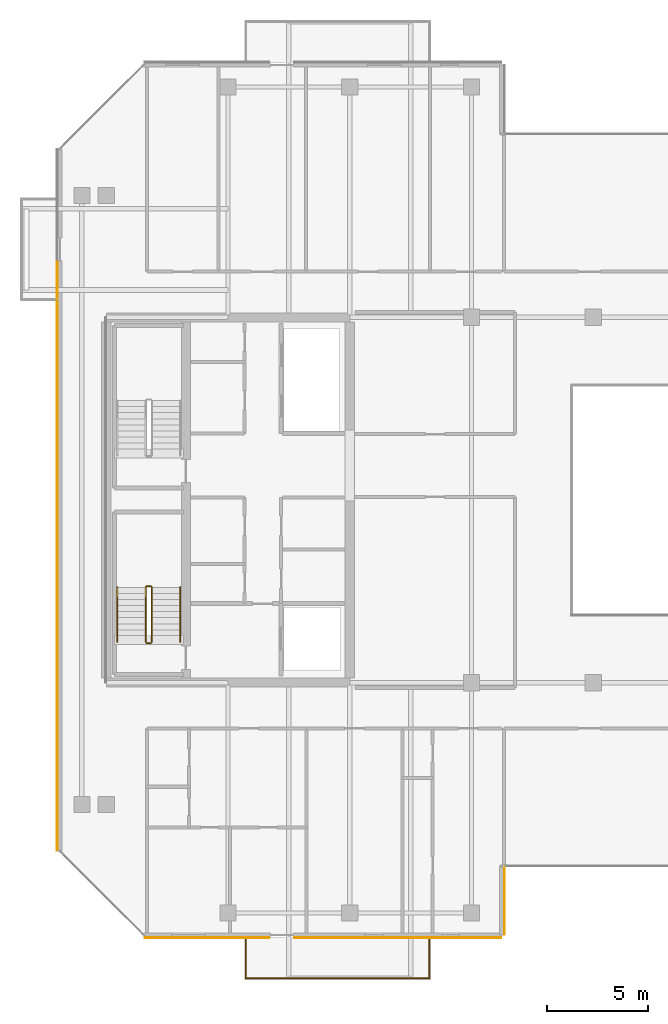
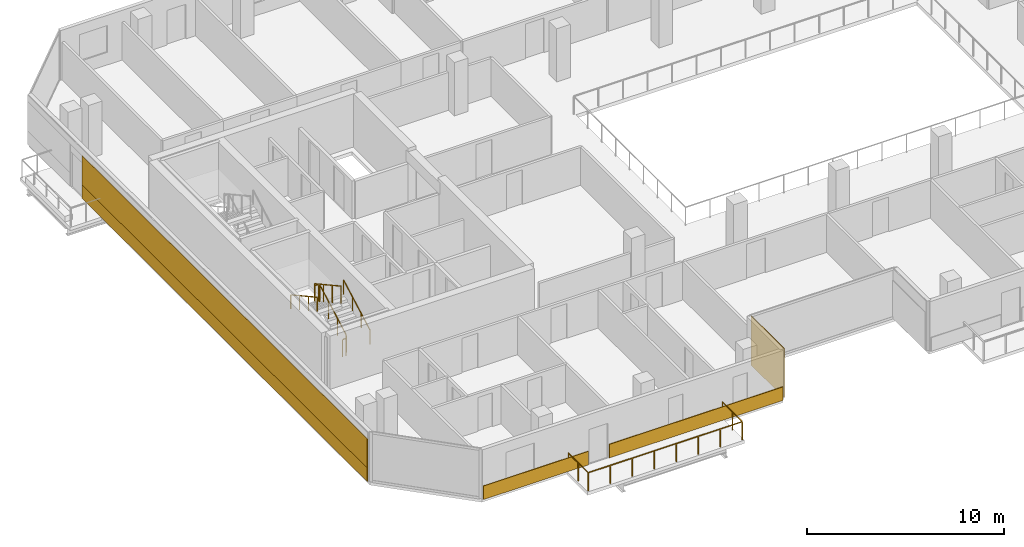
# One storey, part 25 of 28: 7 railings, 5 coverings.
"""IFC4 building model written with IfcOpenShell, lengths in metres."""

from ifc_helpers import new_model, si_unit, direction, frame, origin, origin_2d, place, context, subcontext, project, spatial, rectangle, extrude, material, layer, layer_set, type_object, element, save


model = new_model("IFC4")

# Units and contexts
model_context = context("Model", 3, precision=1e-05, world=origin(), true_north=direction((0.0, 1.0)))
body_context = subcontext(model_context, "Body", "Model", "MODEL_VIEW")
ifc_project = project(units=[si_unit("LENGTHUNIT", "METRE"), si_unit("AREAUNIT", "SQUARE_METRE"), si_unit("VOLUMEUNIT", "CUBIC_METRE"), si_unit("PLANEANGLEUNIT", "RADIAN"), si_unit("MASSUNIT", "GRAM", prefix="KILO")], contexts=[model_context])

# Site, building, storey
site_placement = place(None, origin())
site = spatial("IfcSite", under=ifc_project, at=site_placement, CompositionType="ELEMENT")
building_placement = place(site_placement, origin())
building = spatial("IfcBuilding", under=site, at=building_placement, Name="Tanjung Sevakor Pilgrim Tower", CompositionType="ELEMENT")
storey_placement = place(building_placement, frame((0.0, 0.0, 185.1298828125)))
storey = spatial("IfcBuildingStorey", under=building, at=storey_placement, Name="L51", CompositionType="ELEMENT", Elevation=185.1298828125)

# Coverings
ifc_material_1 = material(Name="Reconstructed Limestone Cladding", Category="masonry")
ifc_layer = layer(ifc_material_1, 0.044921875)
ifc_layer_set = layer_set([ifc_layer], Name="COV-CLAD-LIMESTONE")
covering_type = type_object("IfcCoveringType", Name="COV-CLAD-LIMESTONE", PredefinedType="CLADDING", material=ifc_layer_set)
covering_1_placement = place(storey_placement, frame((28.962890625, 12.027587890625, 0.01025390625), z_axis=(0.0, 0.0, 1.0), x_axis=(1.0, 0.0, 0.0)))
element("IfcCovering", 1, at=covering_1_placement, inside=storey, type_object=covering_type, Name="L51 Warm Limestone Sill Spandrel EW-L51-MAIN-1-1", PredefinedType="CLADDING", context=body_context, shape_type="SweptSolid", body=[
    extrude(rectangle(XDim=6.154296875, YDim=0.044921875, at=origin_2d()), origin(), (0.0, 0.0, 1.0), 0.840087890625),
])
covering_2_placement = place(storey_placement, frame((38.35498046875, 12.027587890625, 0.01025390625), z_axis=(0.0, 0.0, 1.0), x_axis=(1.0, 0.0, 0.0)))
element("IfcCovering", 2, at=covering_2_placement, inside=storey, type_object=covering_type, Name="L51 Warm Limestone Sill Spandrel EW-L51-MAIN-1-2", PredefinedType="CLADDING", context=body_context, shape_type="SweptSolid", body=[
    extrude(rectangle(XDim=10.18994140625, YDim=0.044921875, at=origin_2d()), origin(), (0.0, 0.0, 1.0), 0.840087890625),
])
covering_3_placement = place(storey_placement, frame((43.62255859375, 13.860107421875, 0.02001953125), z_axis=(0.0, 0.0, 1.0), x_axis=(0.0, 1.0, 0.0)))
element("IfcCovering", 3, at=covering_3_placement, inside=storey, type_object=covering_type, Name="L51 Warm Limestone Wall Cladding EW-L51-MAIN-2", PredefinedType="CLADDING", context=body_context, shape_type="SweptSolid", body=[
    extrude(rectangle(XDim=3.360107421875, YDim=0.044921875, at=origin_2d()), origin(), (0.0, 0.0, 1.0), 3.0400390625),
])
covering_4_placement = place(storey_placement, frame((21.577392578125, 30.837890625, 0.01025390625), z_axis=(0.0, 0.0, 1.0), x_axis=(0.0, -1.0, 0.0)))
element("IfcCovering", 4, at=covering_4_placement, inside=storey, type_object=covering_type, Name="L51 Warm Limestone Sill Spandrel EW-L51-MAIN-15-2", PredefinedType="CLADDING", context=body_context, shape_type="SweptSolid", body=[
    extrude(rectangle(XDim=29.00439453125, YDim=0.044921875, at=origin_2d()), origin(), (0.0, 0.0, 1.0), 0.840087890625),
])
covering_5_placement = place(storey_placement, frame((21.577392578125, 30.8427734375, 0.85009765625), z_axis=(0.0, 0.0, 1.0), x_axis=(0.0, -1.0, 0.0)))
element("IfcCovering", 5, at=covering_5_placement, inside=storey, type_object=covering_type, Name="L51 Warm Limestone Pier Panel EW-L51-MAIN-15-2", PredefinedType="CLADDING", context=body_context, shape_type="SweptSolid", body=[
    extrude(rectangle(XDim=29.014404296875, YDim=0.044921875, at=origin_2d()), origin(), (0.0, 0.0, 1.0), 1.81005859375),
])

# Railings
ifc_material_2 = material(Name="Laminated Glass and Aluminium", Category="aluminium")
railing_type_1 = type_object("IfcRailingType", Name="RL-BAL-BALUST", PredefinedType="BALUSTRADE", material=ifc_material_2)
railing_1_placement = place(storey_placement, frame((30.8798828125, 12.050048828125, 0.0)))
element("IfcRailing", 6, at=railing_1_placement, inside=storey, type_object=railing_type_1, Name="L51 Loggia Balustrade MAIN-S1", PredefinedType="BALUSTRADE", context=body_context, shape_type="SweptSolid", body=[
    extrude(rectangle(XDim=0.0479, YDim=0.0479), frame((0.0, 0.0, 1.1259765625), z_axis=(0.0, -1.0, 0.0), x_axis=(1.0, 0.0, 0.0)), (0.0, 0.0, 1.0), 2.02001953125),
    extrude(rectangle(XDim=0.0479, YDim=0.0479), frame((0.0, -2.02001953125, 1.1259765625), z_axis=(1.0, 0.0, 0.0), x_axis=(0.0, 1.0, 0.0)), (0.0, 0.0, 1.0), 9.0400390625),
    extrude(rectangle(XDim=0.0479, YDim=0.0479), frame((9.0400390625, -2.02001953125, 1.1259765625), z_axis=(0.0, 1.0, 0.0), x_axis=(-1.0, 0.0, 0.0)), (0.0, 0.0, 1.0), 2.02001953125),
    extrude(rectangle(XDim=0.042, YDim=0.042), origin(), (0.0, 0.0, 1.0), 1.101806640625),
    extrude(rectangle(XDim=0.042, YDim=0.042), frame((0.0, -1.010009765625, 0.0)), (0.0, 0.0, 1.0), 1.101806640625),
    extrude(rectangle(XDim=0.042, YDim=0.042), frame((0.0, -2.02001953125, 0.0)), (0.0, 0.0, 1.0), 1.101806640625),
    extrude(rectangle(XDim=0.042, YDim=0.042), frame((1.29150390625, -2.02001953125, 0.0)), (0.0, 0.0, 1.0), 1.101806640625),
    extrude(rectangle(XDim=0.042, YDim=0.042), frame((2.582763671875, -2.02001953125, 0.0)), (0.0, 0.0, 1.0), 1.101806640625),
    extrude(rectangle(XDim=0.042, YDim=0.042), frame((3.874267578125, -2.02001953125, 0.0)), (0.0, 0.0, 1.0), 1.101806640625),
    extrude(rectangle(XDim=0.042, YDim=0.042), frame((5.165771484375, -2.02001953125, 0.0)), (0.0, 0.0, 1.0), 1.101806640625),
    extrude(rectangle(XDim=0.042, YDim=0.042), frame((6.457275390625, -2.02001953125, 0.0)), (0.0, 0.0, 1.0), 1.101806640625),
    extrude(rectangle(XDim=0.042, YDim=0.042), frame((7.74853515625, -2.02001953125, 0.0)), (0.0, 0.0, 1.0), 1.101806640625),
    extrude(rectangle(XDim=0.042, YDim=0.042), frame((9.0400390625, -2.02001953125, 0.0)), (0.0, 0.0, 1.0), 1.101806640625),
    extrude(rectangle(XDim=0.042, YDim=0.042), frame((9.0400390625, -1.010009765625, 0.0)), (0.0, 0.0, 1.0), 1.101806640625),
    extrude(rectangle(XDim=0.042, YDim=0.042), frame((9.0400390625, 0.0, 0.0)), (0.0, 0.0, 1.0), 1.101806640625),
])
ifc_material_3 = material(Name="Steel S355J2", Category="steel")
railing_type_2 = type_object("IfcRailingType", Name="RL-STAIR-GUARD", PredefinedType="GUARDRAIL", material=ifc_material_3)
railing_2_placement = place(storey_placement, frame((26.25, 26.60009765625, 0.1650390625)))
element("IfcRailing", 7, at=railing_2_placement, inside=storey, type_object=railing_type_2, Name="L51 TS-W1 stair guard 1", PredefinedType="GUARDRAIL", context=body_context, shape_type="SweptSolid", body=[
    extrude(rectangle(XDim=0.0479, YDim=0.0479), frame((0.0, 0.0, 1.076171875), z_axis=(0.0, 0.876197507361, 0.481952205197), x_axis=(-1.0, 0.0, 0.0)), (0.0, 0.0, 1.0), 3.08154296875),
    extrude(rectangle(XDim=0.042, YDim=0.042), origin(), (0.0, 0.0, 1.0), 1.052001953125),
    extrude(rectangle(XDim=0.042, YDim=0.042), frame((0.0, 0.89990234375, 0.4951171875)), (0.0, 0.0, 1.0), 1.052001953125),
    extrude(rectangle(XDim=0.042, YDim=0.042), frame((0.0, 1.800048828125, 0.989990234375)), (0.0, 0.0, 1.0), 1.052001953125),
    extrude(rectangle(XDim=0.042, YDim=0.042), frame((0.0, 2.699951171875, 1.485107421875)), (0.0, 0.0, 1.0), 1.052001953125),
])
railing_3_placement = place(storey_placement, frame((26.199951171875, 29.35009765625, 1.650146484375)))
element("IfcRailing", 8, at=railing_3_placement, inside=storey, type_object=railing_type_2, Name="L51 TS-W1 stair guard 2", PredefinedType="GUARDRAIL", context=body_context, shape_type="SweptSolid", body=[
    extrude(rectangle(XDim=0.0479, YDim=0.0479), frame((0.0, 0.0, 1.076171875), z_axis=(-1.0, 0.0, 0.0), x_axis=(0.0, -1.0, 0.0)), (0.0, 0.0, 1.0), 0.199951171875),
    extrude(rectangle(XDim=0.042, YDim=0.042), origin(), (0.0, 0.0, 1.0), 1.052001953125),
    extrude(rectangle(XDim=0.042, YDim=0.042), frame((-0.199951171875, 0.0, 0.0)), (0.0, 0.0, 1.0), 1.052001953125),
])
railing_4_placement = place(storey_placement, frame((25.949951171875, 29.300048828125, 1.815185546875)))
element("IfcRailing", 9, at=railing_4_placement, inside=storey, type_object=railing_type_2, Name="L51 TS-W1 stair guard 3", PredefinedType="GUARDRAIL", context=body_context, shape_type="SweptSolid", body=[
    extrude(rectangle(XDim=0.0479, YDim=0.0479), frame((0.0, 0.0, 1.076171875), z_axis=(0.0, -0.876230963923, 0.481891375584), x_axis=(1.0, 0.0, 0.0)), (0.0, 0.0, 1.0), 3.081298828125),
    extrude(rectangle(XDim=0.042, YDim=0.042), origin(), (0.0, 0.0, 1.0), 1.052001953125),
    extrude(rectangle(XDim=0.042, YDim=0.042), frame((0.0, -0.89990234375, 0.494873046875)), (0.0, 0.0, 1.0), 1.052001953125),
    extrude(rectangle(XDim=0.042, YDim=0.042), frame((0.0, -1.800048828125, 0.989990234375)), (0.0, 0.0, 1.0), 1.052001953125),
    extrude(rectangle(XDim=0.042, YDim=0.042), frame((0.0, -2.699951171875, 1.48486328125)), (0.0, 0.0, 1.0), 1.052001953125),
])
railing_5_placement = place(storey_placement, frame((26.199951171875, 26.550048828125, 0.0)))
element("IfcRailing", 10, at=railing_5_placement, inside=storey, type_object=railing_type_2, Name="L51 TS-W1 stair guard 4", PredefinedType="GUARDRAIL", context=body_context, shape_type="SweptSolid", body=[
    extrude(rectangle(XDim=0.0479, YDim=0.0479), frame((0.0, 0.0, 1.076171875), z_axis=(-1.0, 0.0, 0.0), x_axis=(0.0, -1.0, 0.0)), (0.0, 0.0, 1.0), 0.199951171875),
    extrude(rectangle(XDim=0.042, YDim=0.042), origin(), (0.0, 0.0, 1.0), 1.052001953125),
    extrude(rectangle(XDim=0.042, YDim=0.042), frame((-0.199951171875, 0.0, 0.0)), (0.0, 0.0, 1.0), 1.052001953125),
])
ifc_material_4 = material(Name="Steel S355J2", Category="steel")
railing_type_3 = type_object("IfcRailingType", Name="RL-STAIR-HAND", PredefinedType="HANDRAIL", material=ifc_material_4)
railing_6_placement = place(storey_placement, frame((27.64990234375, 26.60009765625, 0.1650390625)))
element("IfcRailing", 11, at=railing_6_placement, inside=storey, type_object=railing_type_3, Name="L51 TS-W1 stair handrail 1", PredefinedType="HANDRAIL", context=body_context, shape_type="SweptSolid", body=[
    extrude(rectangle(XDim=0.0479, YDim=0.0479), frame((0.0, 0.0, 0.8759765625), z_axis=(0.0, 0.876197507361, 0.481952205197), x_axis=(-1.0, 0.0, 0.0)), (0.0, 0.0, 1.0), 3.08154296875),
    extrude(rectangle(XDim=0.042, YDim=0.042), origin(), (0.0, 0.0, 1.0), 0.851806640625),
    extrude(rectangle(XDim=0.042, YDim=0.042), frame((0.0, 0.89990234375, 0.4951171875)), (0.0, 0.0, 1.0), 0.851806640625),
    extrude(rectangle(XDim=0.042, YDim=0.042), frame((0.0, 1.800048828125, 0.989990234375)), (0.0, 0.0, 1.0), 0.851806640625),
    extrude(rectangle(XDim=0.042, YDim=0.042), frame((0.0, 2.699951171875, 1.485107421875)), (0.0, 0.0, 1.0), 0.851806640625),
])
railing_7_placement = place(storey_placement, frame((24.550048828125, 29.300048828125, 1.815185546875)))
element("IfcRailing", 12, at=railing_7_placement, inside=storey, type_object=railing_type_3, Name="L51 TS-W1 stair handrail 2", PredefinedType="HANDRAIL", context=body_context, shape_type="SweptSolid", body=[
    extrude(rectangle(XDim=0.0479, YDim=0.0479), frame((0.0, 0.0, 0.8759765625), z_axis=(0.0, -0.876230963923, 0.481891375584), x_axis=(1.0, 0.0, 0.0)), (0.0, 0.0, 1.0), 3.081298828125),
    extrude(rectangle(XDim=0.042, YDim=0.042), origin(), (0.0, 0.0, 1.0), 0.851806640625),
    extrude(rectangle(XDim=0.042, YDim=0.042), frame((0.0, -0.89990234375, 0.494873046875)), (0.0, 0.0, 1.0), 0.851806640625),
    extrude(rectangle(XDim=0.042, YDim=0.042), frame((0.0, -1.800048828125, 0.989990234375)), (0.0, 0.0, 1.0), 0.851806640625),
    extrude(rectangle(XDim=0.042, YDim=0.042), frame((0.0, -2.699951171875, 1.48486328125)), (0.0, 0.0, 1.0), 0.851806640625),
])

save(model, "model.ifc")
